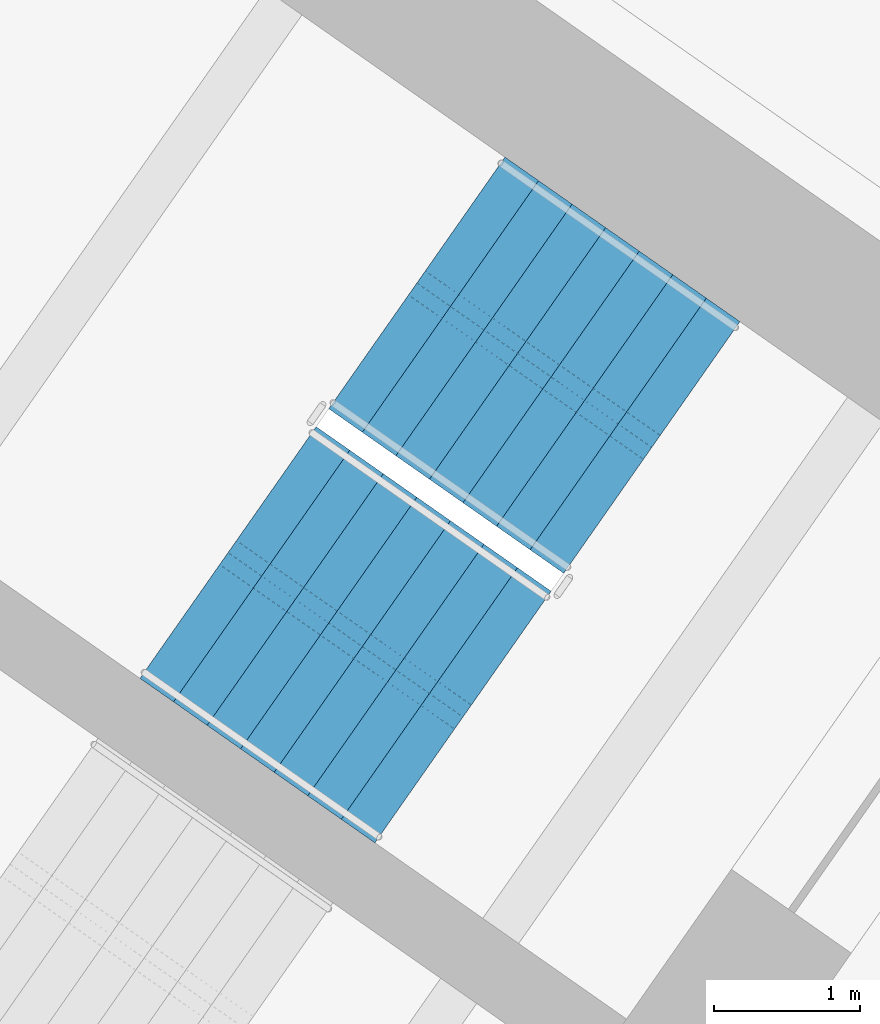
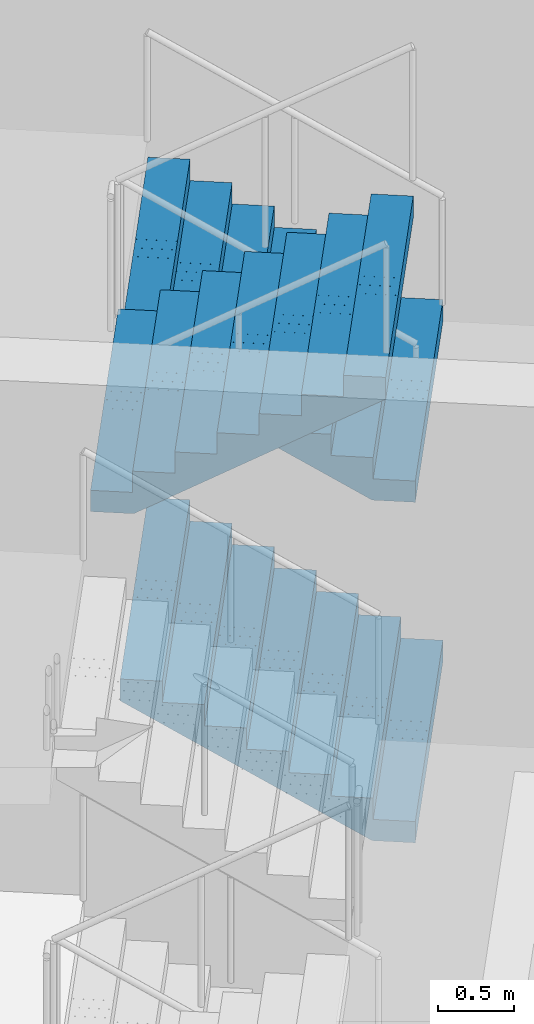
# One storey, part 12 of 15: 3 stair flights, 1 element without a shape of its own.
"""IFC4 building model written with IfcOpenShell, lengths in metres."""

import ifcopenshell
import ifcopenshell.guid

model = None  # the IFC model being written
_history = None  # IfcOwnerHistory: only IFC2X3 demands one
_inside = {}  # id of a spatial element -> (the spatial element, [elements in it])
_under = {}  # id of a project, library or spatial element -> (it, [spatial elements below it])
_declared = {}  # id of a project -> (the project, [libraries it declares])
_typed = {}  # id of a type object -> (the type object, [elements of that type])
_made_of = {}  # id of a material, layer set ... -> (it, [elements and type objects made of it])


def new_model(schema):
    """Start an empty IFC model of exactly this schema.

    Asked for "IFC4X3", IfcOpenShell would pick the latest addendum, in which some entities
    have other attributes; the version numbers below select the first issue.
    IFC2X3 requires an IfcOwnerHistory on every rooted entity: one is made here for all.
    """
    global model, _history
    if schema == "IFC4X3":
        model = ifcopenshell.file(schema_version=(4, 3, 0, 0))
    else:
        model = ifcopenshell.file(schema=schema)
    _inside.clear()
    _under.clear()
    _declared.clear()
    _typed.clear()
    _made_of.clear()
    _history = None
    if model.schema == "IFC2X3":
        org = make("IfcOrganization", Name="unknown")
        user = make(
            "IfcPersonAndOrganization",
            ThePerson=make("IfcPerson", FamilyName="unknown"),
            TheOrganization=org,
        )
        app = make(
            "IfcApplication",
            ApplicationDeveloper=org,
            Version="unknown",
            ApplicationFullName="unknown",
            ApplicationIdentifier="unknown",
        )
        _history = make(
            "IfcOwnerHistory",
            OwningUser=user,
            OwningApplication=app,
            ChangeAction="ADDED",
            CreationDate=0,
        )
    return model


def make(cls, **values):
    """One entity of the class cls with the attributes given. An attribute that is None is left unset."""
    return model.create_entity(
        cls, **{name: value for name, value in values.items() if value is not None}
    )


def rooted(cls, **values):
    """An entity with a GlobalId (a new one), such as an element, a storey or a relation."""
    return make(cls, GlobalId=ifcopenshell.guid.new(), OwnerHistory=_history, **values)


def si_unit(unit_type, name, prefix=None):
    """IfcSIUnit, for example si_unit("LENGTHUNIT", "METRE", prefix="MILLI")."""
    return make("IfcSIUnit", UnitType=unit_type, Prefix=prefix, Name=name)


def assignment(units):
    """IfcUnitAssignment: the units of a project."""
    return None if units is None else make("IfcUnitAssignment", Units=units)


def point(xyz):
    """IfcCartesianPoint."""
    return None if xyz is None else make("IfcCartesianPoint", Coordinates=xyz)


def direction(xyz):
    """IfcDirection."""
    return None if xyz is None else make("IfcDirection", DirectionRatios=xyz)


def frame(location, z_axis=None, x_axis=None):
    """IfcAxis2Placement3D, a coordinate frame: its origin and axes. An axis left out is left unset."""
    return make(
        "IfcAxis2Placement3D",
        Location=point(location),
        Axis=direction(z_axis),
        RefDirection=direction(x_axis),
    )


def origin():
    """The frame at (0, 0, 0) with its axes left unset."""
    return frame((0.0, 0.0, 0.0))


def place(relative_to, where):
    """IfcLocalPlacement: puts the frame where relative to a parent placement (None: the world)."""
    return make(
        "IfcLocalPlacement", PlacementRelTo=relative_to, RelativePlacement=where
    )


def context(
    kind, dimensions, precision=None, world=None, true_north=None, identifier=None
):
    """IfcGeometricRepresentationContext, for example the 3D "Model" context."""
    return make(
        "IfcGeometricRepresentationContext",
        ContextIdentifier=identifier,
        ContextType=kind,
        CoordinateSpaceDimension=dimensions,
        Precision=precision,
        WorldCoordinateSystem=world,
        TrueNorth=true_north,
    )


def subcontext(parent, identifier, kind, view, scale=None):
    """IfcGeometricRepresentationSubContext, for example "Body" below "Model"."""
    return make(
        "IfcGeometricRepresentationSubContext",
        ContextIdentifier=identifier,
        ContextType=kind,
        ParentContext=parent,
        TargetScale=scale,
        TargetView=view,
    )


def project(units=None, contexts=None):
    """IfcProject with its units and contexts."""
    return rooted(
        "IfcProject",
        Name="project",
        RepresentationContexts=contexts,
        UnitsInContext=assignment(units),
    )


def spatial(cls, under=None, at=None, **own):
    """A site, building, storey or space (cls), placed at a placement, below another one or the project."""
    s = rooted(cls, ObjectPlacement=at, **own)
    if under is not None:
        _under.setdefault(under.id(), (under, []))[1].append(s)
    return s


def polyline(points):
    """IfcPolyline through the points."""
    return make("IfcPolyline", Points=[point(p) for p in points])


def outline(outer, holes=None, kind="AREA"):
    """IfcArbitraryClosedProfileDef: a profile drawn as a closed curve; with holes, ...WithVoids."""
    if holes is None:
        return make("IfcArbitraryClosedProfileDef", ProfileType=kind, OuterCurve=outer)
    return make(
        "IfcArbitraryProfileDefWithVoids",
        ProfileType=kind,
        OuterCurve=outer,
        InnerCurves=holes,
    )


def extrude(swept, where, along, depth):
    """IfcExtrudedAreaSolid: the profile swept, set in the frame where, extruded along a direction by depth."""
    return make(
        "IfcExtrudedAreaSolid",
        SweptArea=swept,
        Position=where,
        ExtrudedDirection=direction(along),
        Depth=depth,
    )


def shape(context_of_items, identifier, shape_type, items):
    """IfcShapeRepresentation: the items that make up one representation, for example the "Body"."""
    return make(
        "IfcShapeRepresentation",
        ContextOfItems=context_of_items,
        RepresentationIdentifier=identifier,
        RepresentationType=shape_type,
        Items=items,
    )


def material(Name=None, Category=None):
    """IfcMaterial."""
    return make("IfcMaterial", Name=Name, Category=Category)


def made_of(thing, what):
    """Note that an element or type object is made of a material, layer set ...; save() writes the relation."""
    if what is not None:
        _made_of.setdefault(what.id(), (what, []))[1].append(thing)
    return thing


def type_object(cls, material=None, **own):
    """A type object (cls), such as IfcWallType, which elements share."""
    return made_of(rooted(cls, **own), material)


def element(
    cls,
    number,
    at=None,
    inside=None,
    cuts=None,
    type_object=None,
    material=None,
    context=None,
    identifier="Body",
    shape_type=None,
    held_by="IfcProductDefinitionShape",
    body=None,
    shapes=None,
    **own,
):
    """One element of the class cls, such as IfcWall. Its Tag is "e" and its number.

    at: its placement. inside: the storey or other place that contains it. cuts: it is an
    opening in that element (IfcRelVoidsElement). A single representation is given by context,
    identifier, shape_type and body (its items); several are given by shapes. held_by: the class
    of the entity that holds the representations. save() writes the other relations.
    """
    e = rooted(cls, Tag="e%d" % number, ObjectPlacement=at, **own)
    if body is not None:
        shapes = [shape(context, identifier, shape_type, body)]
    if shapes is not None:
        e.Representation = make(held_by, Representations=shapes)
    if inside is not None:
        _inside.setdefault(inside.id(), (inside, []))[1].append(e)
    if cuts is not None:
        rooted(
            "IfcRelVoidsElement", RelatingBuildingElement=cuts, RelatedOpeningElement=e
        )
    if type_object is not None:
        _typed.setdefault(type_object.id(), (type_object, []))[1].append(e)
    return made_of(e, material)


def aggregate(whole, parts):
    """IfcRelAggregates: a whole, such as a stair, and the parts it consists of."""
    return rooted("IfcRelAggregates", RelatingObject=whole, RelatedObjects=parts)


def save(model, path):
    """Write the relations noted so far, then the file.

    IfcRelAggregates (storeys below a building ...), IfcRelContainedInSpatialStructure (elements
    in a storey), IfcRelDefinesByType, IfcRelAssociatesMaterial and IfcRelDeclares: one each for
    every whole, place, type object, material and project.
    """
    for whole, parts in _under.values():
        aggregate(whole, parts)
    for where, things in _inside.values():
        rooted(
            "IfcRelContainedInSpatialStructure",
            RelatedElements=things,
            RelatingStructure=where,
        )
    for kind, things in _typed.values():
        rooted("IfcRelDefinesByType", RelatedObjects=things, RelatingType=kind)
    for what, things in _made_of.values():
        rooted("IfcRelAssociatesMaterial", RelatedObjects=things, RelatingMaterial=what)
    for by, libraries in _declared.values():
        rooted("IfcRelDeclares", RelatingContext=by, RelatedDefinitions=libraries)
    model.write(path)


model = new_model("IFC4")

# Units and contexts
model_context = context("Model", 3, precision=1e-05, world=origin(), true_north=direction((0.0, 1.0)))
body_context = subcontext(model_context, "Body", "Model", "MODEL_VIEW")
ifc_project = project(units=[si_unit("LENGTHUNIT", "METRE"), si_unit("AREAUNIT", "SQUARE_METRE"), si_unit("VOLUMEUNIT", "CUBIC_METRE"), si_unit("PLANEANGLEUNIT", "RADIAN"), si_unit("MASSUNIT", "GRAM", prefix="KILO")], contexts=[model_context])

# Site, building, storey
site_placement = place(None, origin())
site = spatial("IfcSite", under=ifc_project, at=site_placement, CompositionType="ELEMENT")
building_placement = place(site_placement, origin())
building = spatial("IfcBuilding", under=site, at=building_placement, Name="Tel Ilan Convention Tower", CompositionType="ELEMENT")
storey_placement = place(building_placement, frame((0.0, 0.0, 43.0)))
storey = spatial("IfcBuildingStorey", under=building, at=storey_placement, Name="L06", CompositionType="ELEMENT", Elevation=43.0)

# Stair, stair flights
ifc_material_1 = material(Name="Concrete C40/50", Category="concrete")
stair_type = type_object("IfcStairType", Name="Pressurised Exit Stair 32 risers 172 mm", PredefinedType="HALF_TURN_STAIR", material=ifc_material_1)
stair_placement = place(storey_placement, origin())
stair = element("IfcStair", 1, at=stair_placement, inside=storey, type_object=stair_type, Name="L06 Pressurised Stair S3", PredefinedType="HALF_TURN_STAIR")
ifc_material_2 = material(Name="Precast Concrete C40/50", Category="concrete")
stair_flight_type = type_object("IfcStairFlightType", Name="Concrete Stair Flight 2100 mm 32 risers 172 mm", PredefinedType="STRAIGHT", material=ifc_material_2)
stair_flight_1_placement = place(storey_placement, frame((24.25244140625, -7.032470703125, 0.0), z_axis=(0.0, 0.0, 1.0), x_axis=(-0.819152044289, 0.573576436351, 0.0)))
stair_flight_1 = element("IfcStairFlight", 2, at=stair_flight_1_placement, type_object=stair_flight_type, Name="S3 flight 1", NumberOfRisers=8, NumberOfTreads=7, PredefinedType="STRAIGHT", RiserHeight=0.171875, TreadLength=0.28, context=body_context, shape_type="SweptSolid", body=[
    extrude(outline(polyline([(0.0, 0.0), (0.0, 0.171875), (0.280029296875, 0.171875), (0.280029296875, 0.34375), (0.56005859375, 0.34375), (0.56005859375, 0.515625), (0.840087890625, 0.515625), (0.840087890625, 0.6875), (1.1201171875, 0.6875), (1.1201171875, 0.859375), (1.39990234375, 0.859375), (1.39990234375, 1.03125), (1.679931640625, 1.03125), (1.679931640625, 1.203125), (1.9599609375, 1.203125), (1.9599609375, 1.375), (1.9599609375, 1.02734375), (0.28662109375, 0.0), (0.0, 0.0)])), frame((0.0, -0.100341796875, 0.0), z_axis=(0.0, -1.0, 0.0), x_axis=(1.0, 0.0, 0.0)), (0.0, 0.0, 1.0), 0.94970703125),
    extrude(outline(polyline([(0.0, 0.0), (0.0, 0.171875), (0.280029296875, 0.171875), (0.280029296875, 0.34375), (0.56005859375, 0.34375), (0.56005859375, 0.515625), (0.840087890625, 0.515625), (0.840087890625, 0.6875), (1.1201171875, 0.6875), (1.1201171875, 0.859375), (1.39990234375, 0.859375), (1.39990234375, 1.03125), (1.679931640625, 1.03125), (1.679931640625, 1.203125), (1.9599609375, 1.203125), (1.9599609375, 1.375), (1.9599609375, 1.02734375), (0.28662109375, 0.0), (0.0, 0.0)])), frame((0.0, -0.000244140625, 0.0), z_axis=(0.0, -1.0, 0.0), x_axis=(1.0, 0.0, 0.0)), (0.0, 0.0, 1.0), 0.099609375),
    extrude(outline(polyline([(0.0, 0.0), (0.0, 0.171875), (0.280029296875, 0.171875), (0.280029296875, 0.34375), (0.56005859375, 0.34375), (0.56005859375, 0.515625), (0.840087890625, 0.515625), (0.840087890625, 0.6875), (1.1201171875, 0.6875), (1.1201171875, 0.859375), (1.39990234375, 0.859375), (1.39990234375, 1.03125), (1.679931640625, 1.03125), (1.679931640625, 1.203125), (1.9599609375, 1.203125), (1.9599609375, 1.375), (1.9599609375, 1.02734375), (0.28662109375, 0.0), (0.0, 0.0)])), frame((0.0, 0.099853515625, 0.0), z_axis=(0.0, -1.0, 0.0), x_axis=(1.0, 0.0, 0.0)), (0.0, 0.0, 1.0), 0.099609375),
    extrude(outline(polyline([(0.0, 0.0), (0.0, 0.171875), (0.280029296875, 0.171875), (0.280029296875, 0.34375), (0.56005859375, 0.34375), (0.56005859375, 0.515625), (0.840087890625, 0.515625), (0.840087890625, 0.6875), (1.1201171875, 0.6875), (1.1201171875, 0.859375), (1.39990234375, 0.859375), (1.39990234375, 1.03125), (1.679931640625, 1.03125), (1.679931640625, 1.203125), (1.9599609375, 1.203125), (1.9599609375, 1.375), (1.9599609375, 1.02734375), (0.28662109375, 0.0), (0.0, 0.0)])), frame((0.0, 1.050048828125, 0.0), z_axis=(0.0, -1.0, 0.0), x_axis=(1.0, 0.0, 0.0)), (0.0, 0.0, 1.0), 0.94970703125),
])
stair_flight_2_placement = place(storey_placement, frame((24.25244140625, -7.032470703125, 2.75), z_axis=(0.0, 0.0, 1.0), x_axis=(-0.819152044289, 0.573576436351, 0.0)))
stair_flight_2 = element("IfcStairFlight", 3, at=stair_flight_2_placement, type_object=stair_flight_type, Name="S3 flight 3", NumberOfRisers=8, NumberOfTreads=7, PredefinedType="STRAIGHT", RiserHeight=0.171875, TreadLength=0.28, context=body_context, shape_type="SweptSolid", body=[
    extrude(outline(polyline([(0.0, 0.0), (0.0, 0.171875), (0.280029296875, 0.171875), (0.280029296875, 0.34375), (0.56005859375, 0.34375), (0.56005859375, 0.515625), (0.840087890625, 0.515625), (0.840087890625, 0.6875), (1.1201171875, 0.6875), (1.1201171875, 0.859375), (1.39990234375, 0.859375), (1.39990234375, 1.03125), (1.679931640625, 1.03125), (1.679931640625, 1.203125), (1.9599609375, 1.203125), (1.9599609375, 1.375), (1.9599609375, 1.02734375), (0.28662109375, 0.0), (0.0, 0.0)])), frame((0.0, -0.100341796875, 0.0), z_axis=(0.0, -1.0, 0.0), x_axis=(1.0, 0.0, 0.0)), (0.0, 0.0, 1.0), 0.94970703125),
    extrude(outline(polyline([(0.0, 0.0), (0.0, 0.171875), (0.280029296875, 0.171875), (0.280029296875, 0.34375), (0.56005859375, 0.34375), (0.56005859375, 0.515625), (0.840087890625, 0.515625), (0.840087890625, 0.6875), (1.1201171875, 0.6875), (1.1201171875, 0.859375), (1.39990234375, 0.859375), (1.39990234375, 1.03125), (1.679931640625, 1.03125), (1.679931640625, 1.203125), (1.9599609375, 1.203125), (1.9599609375, 1.375), (1.9599609375, 1.02734375), (0.28662109375, 0.0), (0.0, 0.0)])), frame((0.0, -0.000244140625, 0.0), z_axis=(0.0, -1.0, 0.0), x_axis=(1.0, 0.0, 0.0)), (0.0, 0.0, 1.0), 0.099609375),
    extrude(outline(polyline([(0.0, 0.0), (0.0, 0.171875), (0.280029296875, 0.171875), (0.280029296875, 0.34375), (0.56005859375, 0.34375), (0.56005859375, 0.515625), (0.840087890625, 0.515625), (0.840087890625, 0.6875), (1.1201171875, 0.6875), (1.1201171875, 0.859375), (1.39990234375, 0.859375), (1.39990234375, 1.03125), (1.679931640625, 1.03125), (1.679931640625, 1.203125), (1.9599609375, 1.203125), (1.9599609375, 1.375), (1.9599609375, 1.02734375), (0.28662109375, 0.0), (0.0, 0.0)])), frame((0.0, 0.099853515625, 0.0), z_axis=(0.0, -1.0, 0.0), x_axis=(1.0, 0.0, 0.0)), (0.0, 0.0, 1.0), 0.099609375),
    extrude(outline(polyline([(0.0, 0.0), (0.0, 0.171875), (0.280029296875, 0.171875), (0.280029296875, 0.34375), (0.56005859375, 0.34375), (0.56005859375, 0.515625), (0.840087890625, 0.515625), (0.840087890625, 0.6875), (1.1201171875, 0.6875), (1.1201171875, 0.859375), (1.39990234375, 0.859375), (1.39990234375, 1.03125), (1.679931640625, 1.03125), (1.679931640625, 1.203125), (1.9599609375, 1.203125), (1.9599609375, 1.375), (1.9599609375, 1.02734375), (0.28662109375, 0.0), (0.0, 0.0)])), frame((0.0, 1.050048828125, 0.0), z_axis=(0.0, -1.0, 0.0), x_axis=(1.0, 0.0, 0.0)), (0.0, 0.0, 1.0), 0.94970703125),
])
stair_flight_3_placement = place(storey_placement, frame((21.356201171875, -7.751220703125, 4.125), z_axis=(0.0, 0.0, 1.0), x_axis=(0.819152044289, -0.573576436351, 0.0)))
stair_flight_3 = element("IfcStairFlight", 4, at=stair_flight_3_placement, type_object=stair_flight_type, Name="S3 flight 4", NumberOfRisers=8, NumberOfTreads=7, PredefinedType="STRAIGHT", RiserHeight=0.171875, TreadLength=0.28, context=body_context, shape_type="SweptSolid", body=[
    extrude(outline(polyline([(0.0, 0.0), (0.0, 0.171875), (0.280029296875, 0.171875), (0.280029296875, 0.34375), (0.56005859375, 0.34375), (0.56005859375, 0.515625), (0.840087890625, 0.515625), (0.840087890625, 0.6875), (1.1201171875, 0.6875), (1.1201171875, 0.859375), (1.39990234375, 0.859375), (1.39990234375, 1.03125), (1.679931640625, 1.03125), (1.679931640625, 1.203125), (1.9599609375, 1.203125), (1.9599609375, 1.375), (1.9599609375, 1.02734375), (0.28662109375, 0.0), (0.0, 0.0)])), frame((0.0, -0.100341796875, 0.0), z_axis=(0.0, -1.0, 0.0), x_axis=(1.0, 0.0, 0.0)), (0.0, 0.0, 1.0), 0.94970703125),
    extrude(outline(polyline([(0.0, 0.0), (0.0, 0.171875), (0.280029296875, 0.171875), (0.280029296875, 0.34375), (0.56005859375, 0.34375), (0.56005859375, 0.515625), (0.840087890625, 0.515625), (0.840087890625, 0.6875), (1.1201171875, 0.6875), (1.1201171875, 0.859375), (1.39990234375, 0.859375), (1.39990234375, 1.03125), (1.679931640625, 1.03125), (1.679931640625, 1.203125), (1.9599609375, 1.203125), (1.9599609375, 1.375), (1.9599609375, 1.02734375), (0.28662109375, 0.0), (0.0, 0.0)])), frame((0.0, -0.000244140625, 0.0), z_axis=(0.0, -1.0, 0.0), x_axis=(1.0, 0.0, 0.0)), (0.0, 0.0, 1.0), 0.099609375),
    extrude(outline(polyline([(0.0, 0.0), (0.0, 0.171875), (0.280029296875, 0.171875), (0.280029296875, 0.34375), (0.56005859375, 0.34375), (0.56005859375, 0.515625), (0.840087890625, 0.515625), (0.840087890625, 0.6875), (1.1201171875, 0.6875), (1.1201171875, 0.859375), (1.39990234375, 0.859375), (1.39990234375, 1.03125), (1.679931640625, 1.03125), (1.679931640625, 1.203125), (1.9599609375, 1.203125), (1.9599609375, 1.375), (1.9599609375, 1.02734375), (0.28662109375, 0.0), (0.0, 0.0)])), frame((0.0, 0.099853515625, 0.0), z_axis=(0.0, -1.0, 0.0), x_axis=(1.0, 0.0, 0.0)), (0.0, 0.0, 1.0), 0.099609375),
    extrude(outline(polyline([(0.0, 0.0), (0.0, 0.171875), (0.280029296875, 0.171875), (0.280029296875, 0.34375), (0.56005859375, 0.34375), (0.56005859375, 0.515625), (0.840087890625, 0.515625), (0.840087890625, 0.6875), (1.1201171875, 0.6875), (1.1201171875, 0.859375), (1.39990234375, 0.859375), (1.39990234375, 1.03125), (1.679931640625, 1.03125), (1.679931640625, 1.203125), (1.9599609375, 1.203125), (1.9599609375, 1.375), (1.9599609375, 1.02734375), (0.28662109375, 0.0), (0.0, 0.0)])), frame((0.0, 1.050048828125, 0.0), z_axis=(0.0, -1.0, 0.0), x_axis=(1.0, 0.0, 0.0)), (0.0, 0.0, 1.0), 0.94970703125),
])
aggregate(stair, [stair_flight_1, stair_flight_2, stair_flight_3])

save(model, "model.ifc")
